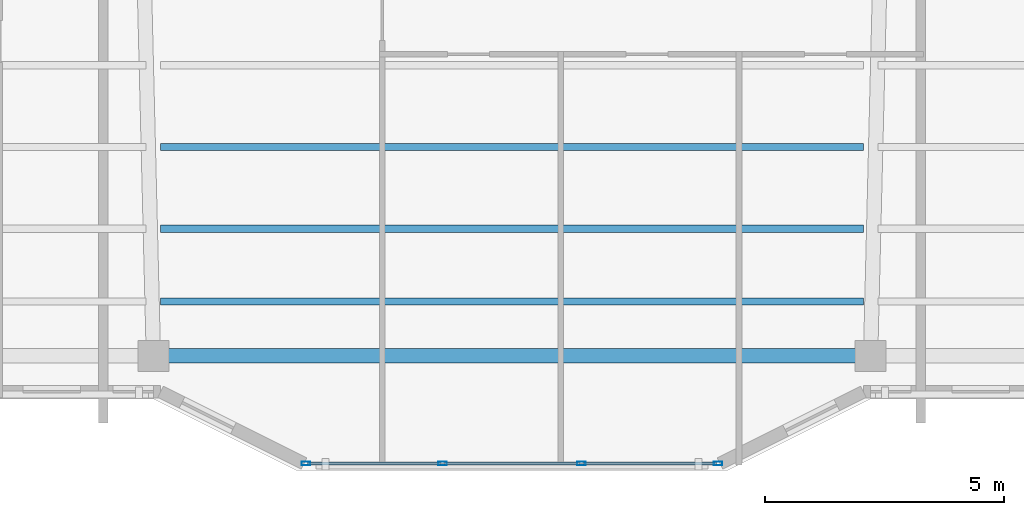
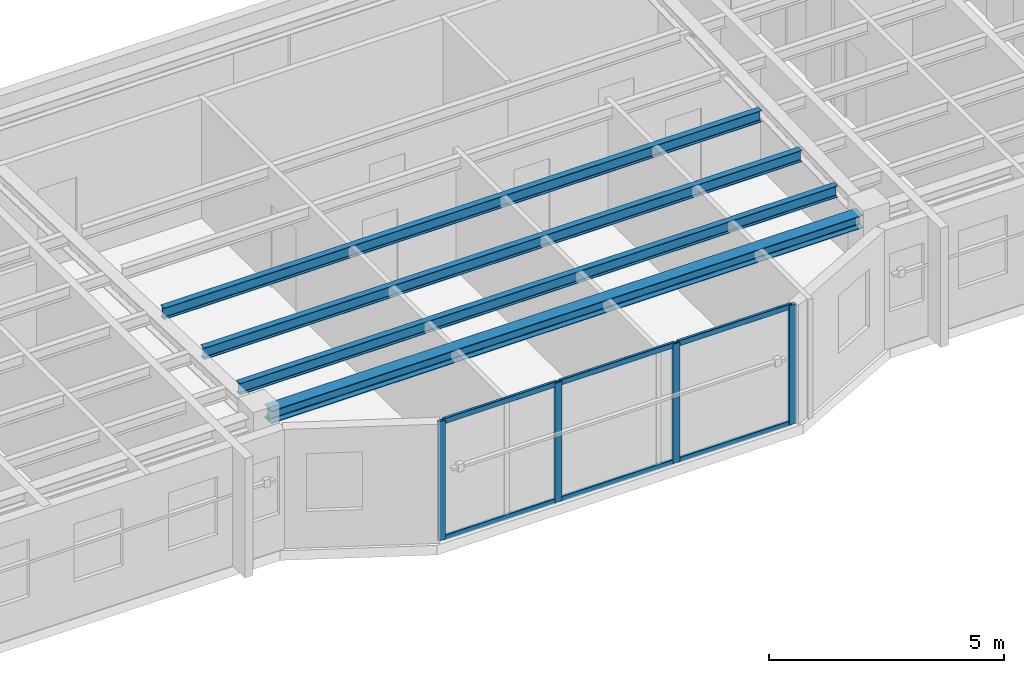
# One storey, part 2 of 14: 10 members, 4 beams, 1 element without a shape of its own.
"""IFC4 building model written with IfcOpenShell, lengths in metres."""

from ifc_helpers import new_model, si_unit, direction, frame, origin, origin_2d, place, context, subcontext, project, spatial, hollow_rectangle, i_section, extrude, material, layer, layer_set, material_profile, profile_set, type_object, element, aggregate, save


model = new_model("IFC4")

# Units and contexts
model_context = context("Model", 3, precision=1e-05, world=origin(), true_north=direction((0.0, 1.0)))
body_context = subcontext(model_context, "Body", "Model", "MODEL_VIEW")
ifc_project = project(units=[si_unit("LENGTHUNIT", "METRE"), si_unit("AREAUNIT", "SQUARE_METRE"), si_unit("VOLUMEUNIT", "CUBIC_METRE"), si_unit("PLANEANGLEUNIT", "RADIAN"), si_unit("MASSUNIT", "GRAM", prefix="KILO")], contexts=[model_context])

# Site, building, storey
site_placement = place(None, origin())
site = spatial("IfcSite", under=ifc_project, at=site_placement, CompositionType="ELEMENT")
building_placement = place(site_placement, origin())
building = spatial("IfcBuilding", under=site, at=building_placement, Name="Tarnavaz Court Tower", CompositionType="ELEMENT")
storey_placement = place(building_placement, frame((0.0, 0.0, 264.949951171875)))
storey = spatial("IfcBuildingStorey", under=building, at=storey_placement, Name="L72", CompositionType="ELEMENT", Elevation=264.949951171875)

# Beams
ifc_material_1 = material(Name="Steel S355", Category="steel")
ifc_material_profile_1 = material_profile(ifc_material_1, i_section(OverallWidth=0.14990234375, OverallDepth=0.300048828125, WebThickness=0.007080078125, FlangeThickness=0.0107421875, FilletRadius=0.014892578125, at=origin_2d()), Name="IPE 300")
ifc_profile_set_1 = profile_set([ifc_material_profile_1], Name="Steel S355")
beam_type_1 = type_object("IfcBeamType", Name="BM-J-IPE300", PredefinedType="JOIST", material=ifc_profile_set_1)
for number, where, z_axis, x_axis, name in (
    (1, (-7.35009765625, -15.72998046875, 2.949951171875), (1.0, 0.0, 0.0), (0.0, 1.0, 0.0), "L72 Beam JS3-2"),
    (2, (-7.35009765625, -17.43994140625, 2.949951171875), (1.0, 0.0, 0.0), (0.0, 1.0, 0.0), "L72 Beam JS4-2"),
    (3, (-7.35009765625, -18.9599609375, 2.949951171875), (1.0, 0.0, 0.0), (0.0, 1.0, 0.0), "L72 Beam JS5-2"),
):
    element("IfcBeam", number, at=place(storey_placement, frame(where, z_axis=z_axis, x_axis=x_axis)), inside=storey, type_object=beam_type_1, Name=name, PredefinedType="JOIST", context=body_context, shape_type="SweptSolid", body=[
        extrude(i_section(OverallWidth=0.14990234375, OverallDepth=0.300048828125, WebThickness=0.007080078125, FlangeThickness=0.0107421875, FilletRadius=0.014892578125, at=origin_2d()), origin(), (0.0, 0.0, 1.0), 14.7001953125),
    ])
ifc_material_profile_2 = material_profile(ifc_material_1, i_section(OverallWidth=0.300048828125, OverallDepth=0.330078125, WebThickness=0.009521484375, FlangeThickness=0.0166015625, FilletRadius=0.027099609375, at=origin_2d()), Name="HEA 340")
ifc_profile_set_2 = profile_set([ifc_material_profile_2], Name="Steel S355")
beam_type_2 = type_object("IfcBeamType", Name="BM-SP-HEA340", PredefinedType="BEAM", material=ifc_profile_set_2)
beam_placement = place(storey_placement, frame((-7.280029296875, -20.10009765625, 2.93505859375), z_axis=(1.0, 0.0, 0.0), x_axis=(0.0, 1.0, 0.0)))
element("IfcBeam", 4, at=beam_placement, inside=storey, type_object=beam_type_2, Name="L72 Beam PR-PS-2-PS-3", PredefinedType="BEAM", context=body_context, shape_type="SweptSolid", body=[
    extrude(i_section(OverallWidth=0.300048828125, OverallDepth=0.330078125, WebThickness=0.009521484375, FlangeThickness=0.0166015625, FilletRadius=0.027099609375, at=origin_2d()), origin(), (0.0, 0.0, 1.0), 14.56005859375),
])

# Curtain wall, members
ifc_material_2 = material(Name="Anodised Aluminium 6063-T6 and Solar Low-E Glazing", Category="aluminium")
ifc_layer = layer(ifc_material_2, 0.159912109375)
ifc_layer_set = layer_set([ifc_layer], Name="Anodised Aluminium 6063-T6 and Solar Low-E Glazing")
curtain_wall_type = type_object("IfcCurtainWallType", Name="CW-SYS-03", PredefinedType="NOTDEFINED", material=ifc_layer_set)
curtain_wall_placement = place(storey_placement, origin())
curtain_wall = element("IfcCurtainWall", 5, at=curtain_wall_placement, inside=storey, type_object=curtain_wall_type, Name="L72 Iwan Prow Curtain Wall 17", PredefinedType="NOTDEFINED")
ifc_material_3 = material(Name="Anodised Aluminium 6063-T6", Category="aluminium")
ifc_material_profile_3 = material_profile(ifc_material_3, hollow_rectangle(XDim=0.074951171875, YDim=0.179931640625, WallThickness=0.0048828125, InnerFilletRadius=0.0048828125, OuterFilletRadius=0.010009765625, at=origin_2d()), Name="ALU RHS 180X75X5")
ifc_profile_set_3 = profile_set([ifc_material_profile_3], Name="Anodised Aluminium 6063-T6")
member_type_1 = type_object("IfcMemberType", Name="CW-MUL-180", PredefinedType="MULLION", material=ifc_profile_set_3)
member_1_placement = place(storey_placement, frame((4.3125, -22.35009765625, 0.0), z_axis=(0.0, 0.0, 1.0), x_axis=(0.0, -1.0, 0.0)))
member_1 = element("IfcMember", 6, at=member_1_placement, type_object=member_type_1, Name="CW mullion 1", PredefinedType="MULLION", context=body_context, shape_type="SweptSolid", body=[
    extrude(hollow_rectangle(XDim=0.074951171875, YDim=0.179931640625, WallThickness=0.0048828125, InnerFilletRadius=0.0048828125, OuterFilletRadius=0.010009765625, at=origin_2d()), origin(), (0.0, 0.0, 1.0), 3.10009765625),
])
member_2_placement = place(storey_placement, frame((1.449951171875, -22.35009765625, 0.0), z_axis=(0.0, 0.0, 1.0), x_axis=(0.0, -1.0, 0.0)))
member_2 = element("IfcMember", 7, at=member_2_placement, type_object=member_type_1, Name="CW mullion 2", PredefinedType="MULLION", context=body_context, shape_type="SweptSolid", body=[
    extrude(hollow_rectangle(XDim=0.074951171875, YDim=0.179931640625, WallThickness=0.0048828125, InnerFilletRadius=0.0048828125, OuterFilletRadius=0.010009765625, at=origin_2d()), origin(), (0.0, 0.0, 1.0), 3.10009765625),
])
member_3_placement = place(storey_placement, frame((-1.449951171875, -22.35009765625, 0.0), z_axis=(0.0, 0.0, 1.0), x_axis=(0.0, -1.0, 0.0)))
member_3 = element("IfcMember", 8, at=member_3_placement, type_object=member_type_1, Name="CW mullion 3", PredefinedType="MULLION", context=body_context, shape_type="SweptSolid", body=[
    extrude(hollow_rectangle(XDim=0.074951171875, YDim=0.179931640625, WallThickness=0.0048828125, InnerFilletRadius=0.0048828125, OuterFilletRadius=0.010009765625, at=origin_2d()), origin(), (0.0, 0.0, 1.0), 3.10009765625),
])
member_4_placement = place(storey_placement, frame((-4.3125, -22.35009765625, 0.0), z_axis=(0.0, 0.0, 1.0), x_axis=(0.0, -1.0, 0.0)))
member_4 = element("IfcMember", 9, at=member_4_placement, type_object=member_type_1, Name="CW mullion 4", PredefinedType="MULLION", context=body_context, shape_type="SweptSolid", body=[
    extrude(hollow_rectangle(XDim=0.074951171875, YDim=0.179931640625, WallThickness=0.0048828125, InnerFilletRadius=0.0048828125, OuterFilletRadius=0.010009765625, at=origin_2d()), origin(), (0.0, 0.0, 1.0), 3.10009765625),
])
ifc_material_profile_4 = material_profile(ifc_material_3, hollow_rectangle(XDim=0.06494140625, YDim=0.139892578125, WallThickness=0.00390625, InnerFilletRadius=0.00390625, OuterFilletRadius=0.008056640625, at=origin_2d()), Name="ALU RHS 140X65X4")
ifc_profile_set_4 = profile_set([ifc_material_profile_4], Name="Anodised Aluminium 6063-T6")
member_type_2 = type_object("IfcMemberType", Name="CW-TRN-140", PredefinedType="USERDEFINED", material=ifc_profile_set_4)
member_5_placement = place(storey_placement, frame((4.27490234375, -22.35009765625, 0.032470703125), z_axis=(-1.0, 0.0, 0.0), x_axis=(0.0, -1.0, 0.0)))
member_5 = element("IfcMember", 10, at=member_5_placement, type_object=member_type_2, Name="CW transom 1.1", ObjectType="TRANSOM", PredefinedType="USERDEFINED", context=body_context, shape_type="SweptSolid", body=[
    extrude(hollow_rectangle(XDim=0.06494140625, YDim=0.139892578125, WallThickness=0.00390625, InnerFilletRadius=0.00390625, OuterFilletRadius=0.008056640625, at=origin_2d()), origin(), (0.0, 0.0, 1.0), 2.787353515625),
])
member_6_placement = place(storey_placement, frame((4.27490234375, -22.35009765625, 3.067626953125), z_axis=(-1.0, 0.0, 0.0), x_axis=(0.0, -1.0, 0.0)))
member_6 = element("IfcMember", 11, at=member_6_placement, type_object=member_type_2, Name="CW transom 1.2", ObjectType="TRANSOM", PredefinedType="USERDEFINED", context=body_context, shape_type="SweptSolid", body=[
    extrude(hollow_rectangle(XDim=0.06494140625, YDim=0.139892578125, WallThickness=0.00390625, InnerFilletRadius=0.00390625, OuterFilletRadius=0.008056640625, at=origin_2d()), origin(), (0.0, 0.0, 1.0), 2.787353515625),
])
member_7_placement = place(storey_placement, frame((1.41259765625, -22.35009765625, 0.032470703125), z_axis=(-1.0, 0.0, 0.0), x_axis=(0.0, -1.0, 0.0)))
member_7 = element("IfcMember", 12, at=member_7_placement, type_object=member_type_2, Name="CW transom 2.1", ObjectType="TRANSOM", PredefinedType="USERDEFINED", context=body_context, shape_type="SweptSolid", body=[
    extrude(hollow_rectangle(XDim=0.06494140625, YDim=0.139892578125, WallThickness=0.00390625, InnerFilletRadius=0.00390625, OuterFilletRadius=0.008056640625, at=origin_2d()), origin(), (0.0, 0.0, 1.0), 2.8251953125),
])
member_8_placement = place(storey_placement, frame((1.41259765625, -22.35009765625, 3.067626953125), z_axis=(-1.0, 0.0, 0.0), x_axis=(0.0, -1.0, 0.0)))
member_8 = element("IfcMember", 13, at=member_8_placement, type_object=member_type_2, Name="CW transom 2.2", ObjectType="TRANSOM", PredefinedType="USERDEFINED", context=body_context, shape_type="SweptSolid", body=[
    extrude(hollow_rectangle(XDim=0.06494140625, YDim=0.139892578125, WallThickness=0.00390625, InnerFilletRadius=0.00390625, OuterFilletRadius=0.008056640625, at=origin_2d()), origin(), (0.0, 0.0, 1.0), 2.8251953125),
])
member_9_placement = place(storey_placement, frame((-1.487548828125, -22.35009765625, 0.032470703125), z_axis=(-1.0, 0.0, 0.0), x_axis=(0.0, -1.0, 0.0)))
member_9 = element("IfcMember", 14, at=member_9_placement, type_object=member_type_2, Name="CW transom 3.1", ObjectType="TRANSOM", PredefinedType="USERDEFINED", context=body_context, shape_type="SweptSolid", body=[
    extrude(hollow_rectangle(XDim=0.06494140625, YDim=0.139892578125, WallThickness=0.00390625, InnerFilletRadius=0.00390625, OuterFilletRadius=0.008056640625, at=origin_2d()), origin(), (0.0, 0.0, 1.0), 2.787353515625),
])
member_10_placement = place(storey_placement, frame((-1.487548828125, -22.35009765625, 3.067626953125), z_axis=(-1.0, 0.0, 0.0), x_axis=(0.0, -1.0, 0.0)))
member_10 = element("IfcMember", 15, at=member_10_placement, type_object=member_type_2, Name="CW transom 3.2", ObjectType="TRANSOM", PredefinedType="USERDEFINED", context=body_context, shape_type="SweptSolid", body=[
    extrude(hollow_rectangle(XDim=0.06494140625, YDim=0.139892578125, WallThickness=0.00390625, InnerFilletRadius=0.00390625, OuterFilletRadius=0.008056640625, at=origin_2d()), origin(), (0.0, 0.0, 1.0), 2.787353515625),
])
aggregate(curtain_wall, [member_1, member_2, member_3, member_4, member_5, member_6, member_7, member_8, member_9, member_10])

save(model, "model.ifc")
